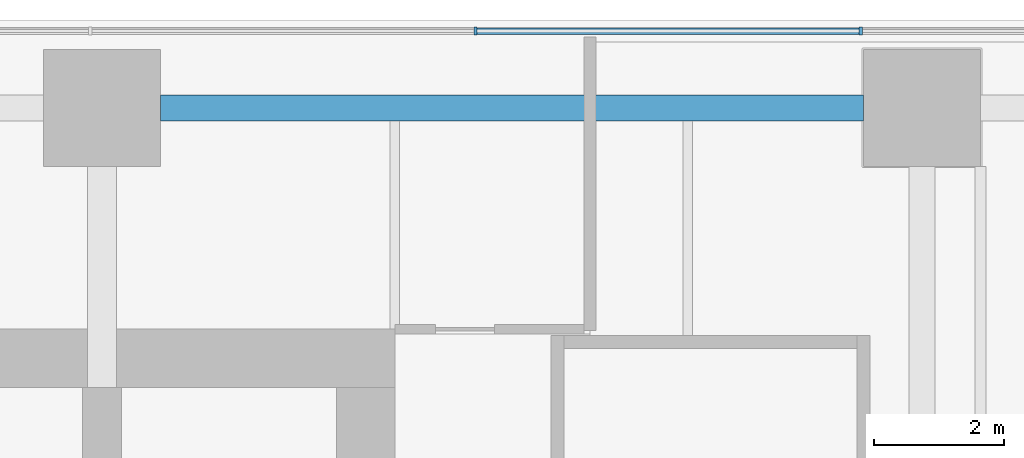
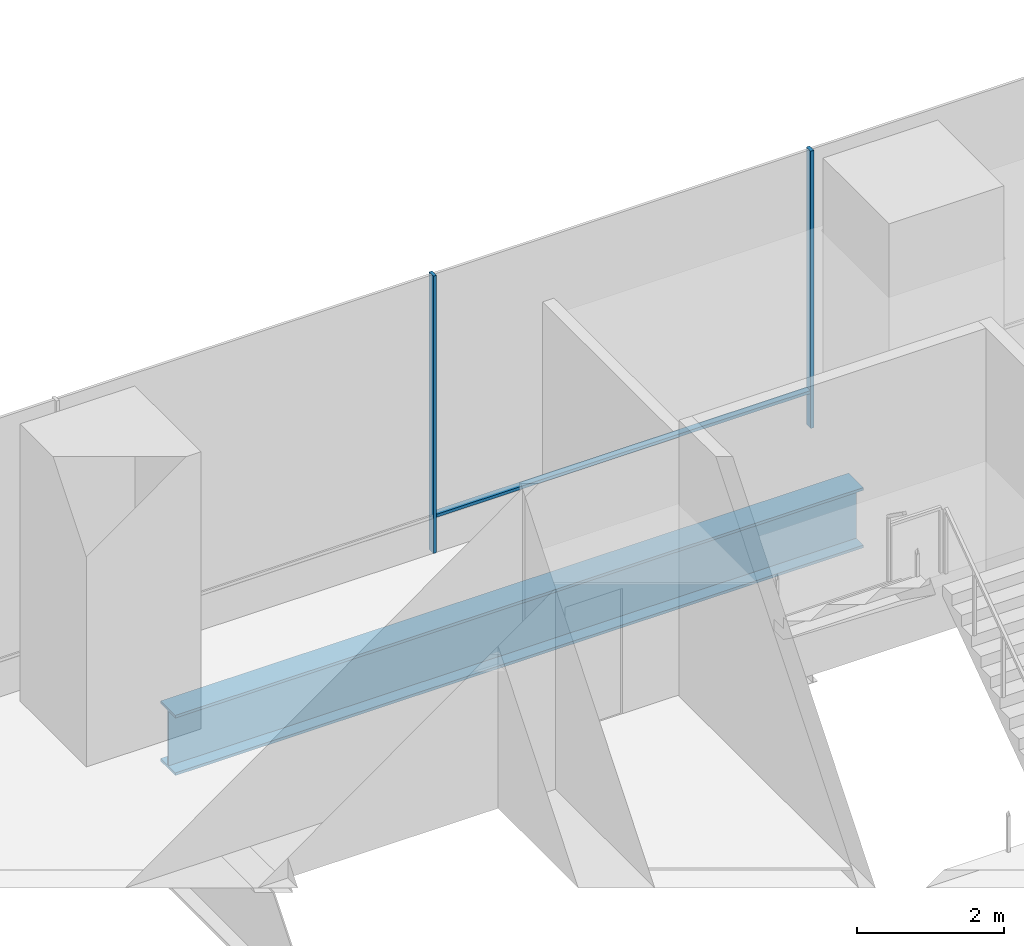
# One storey, part 14 of 29: 3 members, 1 beam, 1 element without a shape of its own.
"""IFC4 building model written with IfcOpenShell, lengths in metres."""

from ifc_helpers import new_model, si_unit, direction, frame, origin, origin_2d, place, context, subcontext, project, spatial, rectangle, i_section, extrude, material, layer, layer_set, material_profile, profile_set, type_object, element, aggregate, save


model = new_model("IFC4")

# Units and contexts
model_context = context("Model", 3, precision=1e-05, world=origin(), true_north=direction((0.0, 1.0)))
body_context = subcontext(model_context, "Body", "Model", "MODEL_VIEW")
ifc_project = project(units=[si_unit("LENGTHUNIT", "METRE"), si_unit("AREAUNIT", "SQUARE_METRE"), si_unit("VOLUMEUNIT", "CUBIC_METRE"), si_unit("PLANEANGLEUNIT", "RADIAN"), si_unit("MASSUNIT", "GRAM", prefix="KILO")], contexts=[model_context])

# Site, building, storey
site_placement = place(None, origin())
site = spatial("IfcSite", under=ifc_project, at=site_placement, CompositionType="ELEMENT")
building_placement = place(site_placement, origin())
building = spatial("IfcBuilding", under=site, at=building_placement, Name="Rattan Terrace Tower", CompositionType="ELEMENT")
storey_placement = place(building_placement, frame((0.0, 0.0, 12.60009765625)))
storey = spatial("IfcBuildingStorey", under=building, at=storey_placement, Name="L02", CompositionType="ELEMENT", Elevation=12.60009765625)

# Beam
ifc_material_1 = material(Name="Steel S460", Category="steel")
ifc_material_profile_1 = material_profile(ifc_material_1, i_section(OverallWidth=0.39990234375, OverallDepth=1.0, WebThickness=0.01806640625, FlangeThickness=0.044921875, at=origin_2d()), Name="PG 1000x400-18-45")
ifc_profile_set_1 = profile_set([ifc_material_profile_1], Name="Steel S460")
beam_type = type_object("IfcBeamType", Name="Frame podium girder PG 1000x400-18-45", PredefinedType="USERDEFINED", material=ifc_profile_set_1)
beam_placement = place(storey_placement, frame((14.39990234375, 10.89990234375, -0.7001953125), z_axis=(1.0, 0.0, 0.0), x_axis=(0.0, 1.0, 0.0)))
element("IfcBeam", 1, at=beam_placement, inside=storey, type_object=beam_type, Name="gdr-L02-050", ObjectType="PODIUM GIRDER", PredefinedType="USERDEFINED", context=body_context, shape_type="SweptSolid", body=[
    extrude(i_section(OverallWidth=0.39990234375, OverallDepth=1.0, WebThickness=0.01806640625, FlangeThickness=0.044921875, at=origin_2d()), origin(), (0.0, 0.0, 1.0), 10.800048828125),
])

# Curtain wall, members
ifc_material_2 = material(Name="Aluminium and glass", Category="aluminium")
ifc_layer = layer(ifc_material_2, 0.1201171875)
ifc_layer_set = layer_set([ifc_layer], Name="Station Storefront Curtain Wall")
curtain_wall_type = type_object("IfcCurtainWallType", Name="Station Storefront Curtain Wall", PredefinedType="NOTDEFINED", material=ifc_layer_set)
curtain_wall_placement = place(storey_placement, origin())
curtain_wall = element("IfcCurtainWall", 2, at=curtain_wall_placement, inside=storey, type_object=curtain_wall_type, Name="Storefront curtain wall L02-2", PredefinedType="NOTDEFINED")
ifc_material_3 = material(Name="Aluminium", Category="aluminium")
ifc_material_profile_2 = material_profile(ifc_material_3, rectangle(XDim=0.050048828125, YDim=0.1201171875, at=origin_2d()), Name="Aluminium 50x120")
ifc_profile_set_2 = profile_set([ifc_material_profile_2], Name="Aluminium")
member_type_1 = type_object("IfcMemberType", Name="Storefront CW Mullion 50x120", PredefinedType="MULLION", material=ifc_profile_set_2)
member_1_placement = place(storey_placement, frame((25.159912109375, 12.080078125, 0.0), z_axis=(0.0, 0.0, 1.0), x_axis=(-1.0, 0.0, 0.0)))
member_1 = element("IfcMember", 3, at=member_1_placement, type_object=member_type_1, Name="Mullion cwl-L02-002.3", PredefinedType="MULLION", context=body_context, shape_type="SweptSolid", body=[
    extrude(rectangle(XDim=0.050048828125, YDim=0.1201171875, at=origin_2d()), origin(), (0.0, 0.0, 1.0), 4.599853515625),
])
member_2_placement = place(storey_placement, frame((19.239990234375, 12.080078125, 0.0), z_axis=(0.0, 0.0, 1.0), x_axis=(-1.0, 0.0, 0.0)))
member_2 = element("IfcMember", 4, at=member_2_placement, type_object=member_type_1, Name="Mullion cwl-L02-002.4", PredefinedType="MULLION", context=body_context, shape_type="SweptSolid", body=[
    extrude(rectangle(XDim=0.050048828125, YDim=0.1201171875, at=origin_2d()), origin(), (0.0, 0.0, 1.0), 4.599853515625),
])
ifc_material_4 = material(Name="Aluminium", Category="aluminium")
ifc_material_profile_3 = material_profile(ifc_material_4, rectangle(XDim=0.10009765625, YDim=0.050048828125, at=origin_2d()), Name="Aluminium 100x50")
ifc_profile_set_3 = profile_set([ifc_material_profile_3], Name="Aluminium")
member_type_2 = type_object("IfcMemberType", Name="Storefront CW Transom 100x50", PredefinedType="USERDEFINED", material=ifc_profile_set_3)
member_3_placement = place(storey_placement, frame((25.135009765625, 12.080078125, 0.599853515625), z_axis=(-1.0, 0.0, 0.0), x_axis=(0.0, -1.0, 0.0)))
member_3 = element("IfcMember", 5, at=member_3_placement, type_object=member_type_2, Name="Transom cwl-L02-002.3", ObjectType="TRANSOM", PredefinedType="USERDEFINED", context=body_context, shape_type="SweptSolid", body=[
    extrude(rectangle(XDim=0.10009765625, YDim=0.050048828125, at=origin_2d()), origin(), (0.0, 0.0, 1.0), 5.8701171875),
])
aggregate(curtain_wall, [member_1, member_2, member_3])

save(model, "model.ifc")
